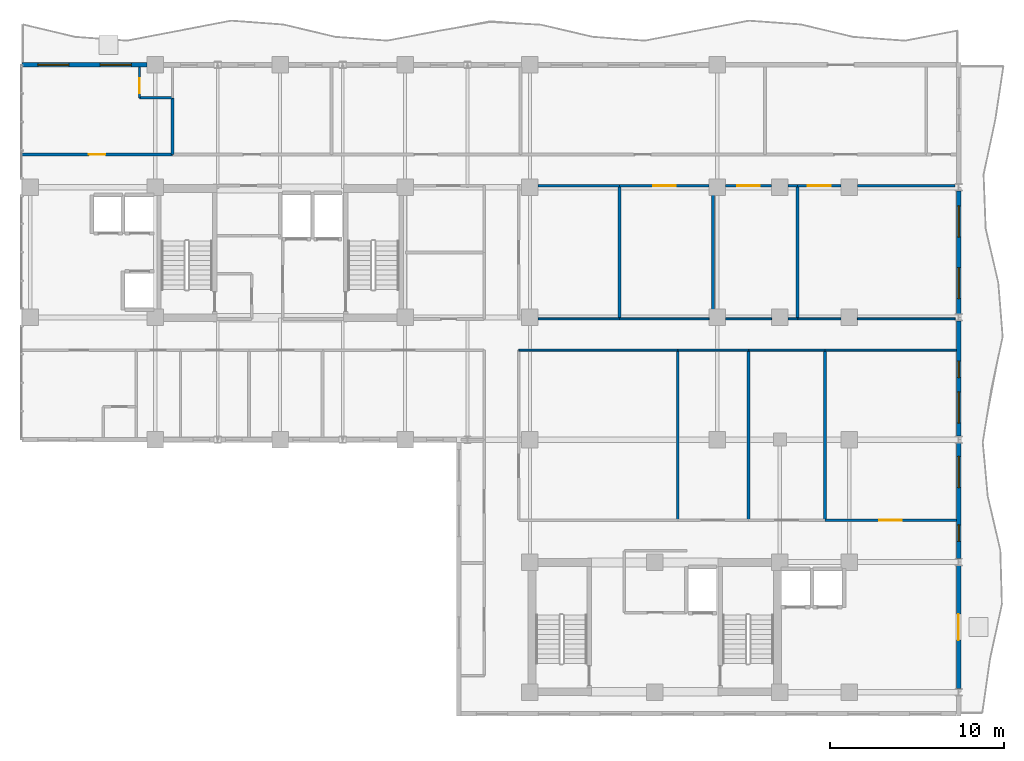
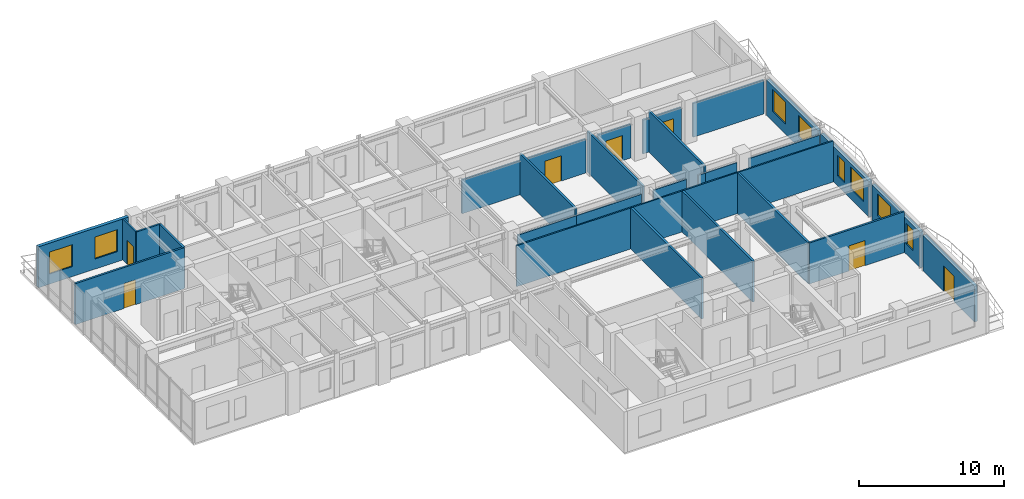
# One storey, part 15 of 20: 32 walls, 8 windows, 7 doors, 15 openings.
"""IFC4 building model written with IfcOpenShell, lengths in metres."""

from ifc_helpers import new_model, si_unit, direction, frame, frame_2d, origin, place, context, subcontext, project, spatial, rectangle, extrude, material, layer, layer_set, type_object, element, fill, save


model = new_model("IFC4")

# Units and contexts
model_context = context("Model", 3, precision=1e-05, world=origin(), true_north=direction((0.0, 1.0)))
body_context = subcontext(model_context, "Body", "Model", "MODEL_VIEW")
ifc_project = project(units=[si_unit("LENGTHUNIT", "METRE"), si_unit("AREAUNIT", "SQUARE_METRE"), si_unit("VOLUMEUNIT", "CUBIC_METRE"), si_unit("PLANEANGLEUNIT", "RADIAN"), si_unit("MASSUNIT", "GRAM", prefix="KILO")], contexts=[model_context])

# Site, building, storey
site_placement = place(None, origin())
site = spatial("IfcSite", under=ifc_project, at=site_placement, CompositionType="ELEMENT")
building_placement = place(site_placement, origin())
building = spatial("IfcBuilding", under=site, at=building_placement, Name="Kaliganga Portal Commons", CompositionType="ELEMENT")
storey_placement = place(building_placement, frame((0.0, 0.0, 201.800048828125)))
storey = spatial("IfcBuildingStorey", under=building, at=storey_placement, Name="L51", CompositionType="ELEMENT", Elevation=201.800048828125)

# Wall, opening, door
ifc_material_1 = material(Name="Insulated Aluminium-Clad Spandrel Assembly", Category="aluminium")
ifc_layer_1 = layer(ifc_material_1, 0.260009765625)
ifc_layer_set_1 = layer_set([ifc_layer_1], Name="Insulated Aluminium-Clad Spandrel Assembly")
wall_type_1 = type_object("IfcWallType", Name="WL-EXT-SPAND-260", PredefinedType="STANDARD", material=ifc_layer_set_1)
wall_1_placement = place(storey_placement, frame((60.699951171875, 14.34912109375, 0.0), z_axis=(0.0, 0.0, 1.0), x_axis=(0.0, -1.0, 0.0)))
wall_1 = element("IfcWall", 1, at=wall_1_placement, inside=storey, type_object=wall_type_1, Name="Exterior Envelope Wall L51 P1-E01-S2", PredefinedType="STANDARD", context=body_context, shape_type="SweptSolid", body=[
    extrude(rectangle(XDim=7.09814453125, YDim=0.260009765625, at=frame_2d((3.549072265625, 0.0))), origin(), (0.0, 0.0, 1.0), 3.0),
])
opening_1_placement = place(wall_1_placement, frame((2.799072265625, 0.0, 0.0)))
opening_1 = element("IfcOpeningElement", 2, at=opening_1_placement, cuts=wall_1, Name="Opening BD-01", PredefinedType="OPENING", context=body_context, shape_type="SweptSolid", body=[
    extrude(rectangle(XDim=1.5, YDim=2.14990234375, at=frame_2d((0.75, 1.074951171875))), frame((0.0, 0.14013671875, 0.0), z_axis=(0.0, -1.0, 0.0), x_axis=(1.0, 0.0, 0.0)), (0.0, 0.0, 1.0), 0.280029296875),
])
ifc_material_2 = material(Name="Anodized Aluminium and Laminated Safety Glass", Category="aluminium")
door_type_1 = type_object("IfcDoorType", Name="DR-BALC-1500", OperationType="SLIDING_TO_LEFT", PredefinedType="DOOR", material=ifc_material_2)
door_1_placement = place(opening_1_placement, origin())
door_1 = element("IfcDoor", 3, at=door_1_placement, inside=storey, type_object=door_type_1, Name="Balcony Sliding Door L51 balc_east", OperationType="SLIDING_TO_LEFT", OverallHeight=2.14990234375, OverallWidth=1.5, PredefinedType="DOOR", context=body_context, shape_type="SweptSolid", body=[
    extrude(rectangle(XDim=1.5, YDim=2.14990234375, at=frame_2d((0.75, 1.074951171875))), frame((0.0, 0.02490234375, 0.0), z_axis=(0.0, -1.0, 0.0), x_axis=(1.0, 0.0, 0.0)), (0.0, 0.0, 1.0), 0.050048828125),
])
fill(opening_1, door_1)

# Wall, openings, windows
wall_2_placement = place(storey_placement, frame((60.699951171875, 21.39892578125, 0.0), z_axis=(0.0, 0.0, 1.0), x_axis=(0.0, -1.0, 0.0)))
wall_2 = element("IfcWall", 4, at=wall_2_placement, inside=storey, type_object=wall_type_1, Name="Exterior Envelope Wall L51 P1-E01-S3", PredefinedType="STANDARD", context=body_context, shape_type="SweptSolid", body=[
    extrude(rectangle(XDim=6.64794921875, YDim=0.260009765625, at=frame_2d((3.323974609375, 0.0))), origin(), (0.0, 0.0, 1.0), 3.0),
])
opening_2_placement = place(wall_2_placement, frame((0.761962890625, 0.0, 0.85009765625)))
opening_2 = element("IfcOpeningElement", 5, at=opening_2_placement, cuts=wall_2, Name="Opening W-01", PredefinedType="OPENING", context=body_context, shape_type="SweptSolid", body=[
    extrude(rectangle(XDim=1.800048828125, YDim=1.85009765625, at=frame_2d((0.89990234375, 0.925048828125))), frame((0.0, 0.14013671875, 0.0), z_axis=(0.0, -1.0, 0.0), x_axis=(1.0, 0.0, 0.0)), (0.0, 0.0, 1.0), 0.280029296875),
])
opening_3_placement = place(wall_2_placement, frame((4.71044921875, 0.0, 0.85009765625)))
opening_3 = element("IfcOpeningElement", 6, at=opening_3_placement, cuts=wall_2, Name="Opening W-04", PredefinedType="OPENING", context=body_context, shape_type="SweptSolid", body=[
    extrude(rectangle(XDim=0.949951171875, YDim=1.75, at=frame_2d((0.47509765625, 0.875))), frame((0.0, 0.14013671875, 0.0), z_axis=(0.0, -1.0, 0.0), x_axis=(1.0, 0.0, 0.0)), (0.0, 0.0, 1.0), 0.280029296875),
])
ifc_material_3 = material(Name="Thermally Broken Aluminium and Low-E Double Glazing", Category="aluminium")
window_type_1 = type_object("IfcWindowType", Name="WIN-NARROW-950", PartitioningType="SINGLE_PANEL", PredefinedType="WINDOW", material=ifc_material_3)
window_1_placement = place(opening_3_placement, origin())
window_1 = element("IfcWindow", 7, at=window_1_placement, inside=storey, type_object=window_type_1, Name="Facade Window L51-P1E01S3-N10", OverallHeight=1.75, OverallWidth=0.949951171875, PartitioningType="SINGLE_PANEL", PredefinedType="WINDOW", context=body_context, shape_type="SweptSolid", body=[
    extrude(rectangle(XDim=0.949951171875, YDim=1.75, at=frame_2d((0.47509765625, 0.875))), frame((0.0, 0.030029296875, 0.0), z_axis=(0.0, -1.0, 0.0), x_axis=(1.0, 0.0, 0.0)), (0.0, 0.0, 1.0), 0.06005859375),
])
fill(opening_3, window_1)
window_type_2 = type_object("IfcWindowType", Name="WIN-STD-1800", PartitioningType="DOUBLE_PANEL_VERTICAL", PredefinedType="WINDOW", material=ifc_material_3)
window_2_placement = place(opening_2_placement, origin())
window_2 = element("IfcWindow", 8, at=window_2_placement, inside=storey, type_object=window_type_2, Name="Facade Window L51-P1E01S3-00", OverallHeight=1.85009765625, OverallWidth=1.800048828125, PartitioningType="SINGLE_PANEL", PredefinedType="WINDOW", context=body_context, shape_type="SweptSolid", body=[
    extrude(rectangle(XDim=1.800048828125, YDim=1.85009765625, at=frame_2d((0.89990234375, 0.925048828125))), frame((0.0, 0.030029296875, 0.0), z_axis=(0.0, -1.0, 0.0), x_axis=(1.0, 0.0, 0.0)), (0.0, 0.0, 1.0), 0.06005859375),
])
fill(opening_2, window_2)

wall_3_placement = place(storey_placement, frame((60.699951171875, 28.448974609375, 0.0), z_axis=(0.0, 0.0, 1.0), x_axis=(0.0, -1.0, 0.0)))
wall_3 = element("IfcWall", 9, at=wall_3_placement, inside=storey, type_object=wall_type_1, Name="Exterior Envelope Wall L51 P1-E01-S4", PredefinedType="STANDARD", context=body_context, shape_type="SweptSolid", body=[
    extrude(rectangle(XDim=6.64794921875, YDim=0.260009765625, at=frame_2d((3.323974609375, 0.0))), origin(), (0.0, 0.0, 1.0), 3.0),
])
opening_4_placement = place(wall_3_placement, frame((4.0859375, 0.0, 0.85009765625)))
opening_4 = element("IfcOpeningElement", 10, at=opening_4_placement, cuts=wall_3, Name="Opening W-01", PredefinedType="OPENING", context=body_context, shape_type="SweptSolid", body=[
    extrude(rectangle(XDim=1.800048828125, YDim=1.85009765625, at=frame_2d((0.89990234375, 0.925048828125))), frame((0.0, 0.14013671875, 0.0), z_axis=(0.0, -1.0, 0.0), x_axis=(1.0, 0.0, 0.0)), (0.0, 0.0, 1.0), 0.280029296875),
])
opening_5_placement = place(wall_3_placement, frame((2.317138671875, 0.0, 0.85009765625)))
opening_5 = element("IfcOpeningElement", 11, at=opening_5_placement, cuts=wall_3, Name="Opening W-04", PredefinedType="OPENING", context=body_context, shape_type="SweptSolid", body=[
    extrude(rectangle(XDim=0.949951171875, YDim=1.75, at=frame_2d((0.47509765625, 0.875))), frame((0.0, 0.14013671875, 0.0), z_axis=(0.0, -1.0, 0.0), x_axis=(1.0, 0.0, 0.0)), (0.0, 0.0, 1.0), 0.280029296875),
])
window_3_placement = place(opening_5_placement, origin())
window_3 = element("IfcWindow", 12, at=window_3_placement, inside=storey, type_object=window_type_1, Name="Facade Window L51-P1E01S4-N5", OverallHeight=1.75, OverallWidth=0.949951171875, PartitioningType="SINGLE_PANEL", PredefinedType="WINDOW", context=body_context, shape_type="SweptSolid", body=[
    extrude(rectangle(XDim=0.949951171875, YDim=1.75, at=frame_2d((0.47509765625, 0.875))), frame((0.0, 0.030029296875, 0.0), z_axis=(0.0, -1.0, 0.0), x_axis=(1.0, 0.0, 0.0)), (0.0, 0.0, 1.0), 0.06005859375),
])
fill(opening_5, window_3)
window_4_placement = place(opening_4_placement, origin())
window_4 = element("IfcWindow", 13, at=window_4_placement, inside=storey, type_object=window_type_2, Name="Facade Window L51-P1E01S4-01", OverallHeight=1.85009765625, OverallWidth=1.800048828125, PartitioningType="SINGLE_PANEL", PredefinedType="WINDOW", context=body_context, shape_type="SweptSolid", body=[
    extrude(rectangle(XDim=1.800048828125, YDim=1.85009765625, at=frame_2d((0.89990234375, 0.925048828125))), frame((0.0, 0.030029296875, 0.0), z_axis=(0.0, -1.0, 0.0), x_axis=(1.0, 0.0, 0.0)), (0.0, 0.0, 1.0), 0.06005859375),
])
fill(opening_4, window_4)

wall_4_placement = place(storey_placement, frame((60.699951171875, 35.948974609375, 0.0), z_axis=(0.0, 0.0, 1.0), x_axis=(0.0, -1.0, 0.0)))
wall_4 = element("IfcWall", 14, at=wall_4_placement, inside=storey, type_object=wall_type_1, Name="Exterior Envelope Wall L51 P1-E01-S5", PredefinedType="STANDARD", context=body_context, shape_type="SweptSolid", body=[
    extrude(rectangle(XDim=7.097900390625, YDim=0.260009765625, at=frame_2d((3.548828125, 0.0))), origin(), (0.0, 0.0, 1.0), 3.0),
])
opening_6_placement = place(wall_4_placement, frame((0.87451171875, 0.0, 0.85009765625)))
opening_6 = element("IfcOpeningElement", 15, at=opening_6_placement, cuts=wall_4, Name="Opening W-01", PredefinedType="OPENING", context=body_context, shape_type="SweptSolid", body=[
    extrude(rectangle(XDim=1.800048828125, YDim=1.85009765625, at=frame_2d((0.89990234375, 0.925048828125))), frame((0.0, 0.14013671875, 0.0), z_axis=(0.0, -1.0, 0.0), x_axis=(1.0, 0.0, 0.0)), (0.0, 0.0, 1.0), 0.280029296875),
])
opening_7_placement = place(wall_4_placement, frame((4.423583984375, 0.0, 0.85009765625)))
opening_7 = element("IfcOpeningElement", 16, at=opening_7_placement, cuts=wall_4, Name="Opening W-01", PredefinedType="OPENING", context=body_context, shape_type="SweptSolid", body=[
    extrude(rectangle(XDim=1.800048828125, YDim=1.85009765625, at=frame_2d((0.89990234375, 0.925048828125))), frame((0.0, 0.14013671875, 0.0), z_axis=(0.0, -1.0, 0.0), x_axis=(1.0, 0.0, 0.0)), (0.0, 0.0, 1.0), 0.280029296875),
])
window_5_placement = place(opening_6_placement, origin())
window_5 = element("IfcWindow", 17, at=window_5_placement, inside=storey, type_object=window_type_2, Name="Facade Window L51-P1E01S5-00", OverallHeight=1.85009765625, OverallWidth=1.800048828125, PartitioningType="SINGLE_PANEL", PredefinedType="WINDOW", context=body_context, shape_type="SweptSolid", body=[
    extrude(rectangle(XDim=1.800048828125, YDim=1.85009765625, at=frame_2d((0.89990234375, 0.925048828125))), frame((0.0, 0.030029296875, 0.0), z_axis=(0.0, -1.0, 0.0), x_axis=(1.0, 0.0, 0.0)), (0.0, 0.0, 1.0), 0.06005859375),
])
fill(opening_6, window_5)
window_6_placement = place(opening_7_placement, origin())
window_6 = element("IfcWindow", 18, at=window_6_placement, inside=storey, type_object=window_type_2, Name="Facade Window L51-P1E01S5-01", OverallHeight=1.85009765625, OverallWidth=1.800048828125, PartitioningType="SINGLE_PANEL", PredefinedType="WINDOW", context=body_context, shape_type="SweptSolid", body=[
    extrude(rectangle(XDim=1.800048828125, YDim=1.85009765625, at=frame_2d((0.89990234375, 0.925048828125))), frame((0.0, 0.030029296875, 0.0), z_axis=(0.0, -1.0, 0.0), x_axis=(1.0, 0.0, 0.0)), (0.0, 0.0, 1.0), 0.06005859375),
])
fill(opening_7, window_6)

wall_5_placement = place(storey_placement, frame((6.737060546875, 43.199951171875, 0.0), z_axis=(0.0, 0.0, 1.0), x_axis=(1.0, 0.0, 0.0)))
wall_5 = element("IfcWall", 19, at=wall_5_placement, inside=storey, type_object=wall_type_1, Name="Exterior Envelope Wall L51 P1-E02-S9", PredefinedType="STANDARD", context=body_context, shape_type="SweptSolid", body=[
    extrude(rectangle(XDim=7.18701171875, YDim=0.260009765625, at=frame_2d((3.593505859375, 0.0))), origin(), (0.0, 0.0, 1.0), 3.449951171875),
])
opening_8_placement = place(wall_5_placement, frame((0.896728515625, 0.0, 0.85009765625)))
opening_8 = element("IfcOpeningElement", 20, at=opening_8_placement, cuts=wall_5, Name="Opening W-01", PredefinedType="OPENING", context=body_context, shape_type="SweptSolid", body=[
    extrude(rectangle(XDim=1.800048828125, YDim=1.85009765625, at=frame_2d((0.89990234375, 0.925048828125))), frame((0.0, 0.14013671875, 0.0), z_axis=(0.0, -1.0, 0.0), x_axis=(1.0, 0.0, 0.0)), (0.0, 0.0, 1.0), 0.280029296875),
])
opening_9_placement = place(wall_5_placement, frame((4.490234375, 0.0, 0.85009765625)))
opening_9 = element("IfcOpeningElement", 21, at=opening_9_placement, cuts=wall_5, Name="Opening W-01", PredefinedType="OPENING", context=body_context, shape_type="SweptSolid", body=[
    extrude(rectangle(XDim=1.800048828125, YDim=1.85009765625, at=frame_2d((0.89990234375, 0.925048828125))), frame((0.0, 0.14013671875, 0.0), z_axis=(0.0, -1.0, 0.0), x_axis=(1.0, 0.0, 0.0)), (0.0, 0.0, 1.0), 0.280029296875),
])
window_7_placement = place(opening_8_placement, origin())
window_7 = element("IfcWindow", 22, at=window_7_placement, inside=storey, type_object=window_type_2, Name="Facade Window L51-P1E02S9-00", OverallHeight=1.85009765625, OverallWidth=1.800048828125, PartitioningType="SINGLE_PANEL", PredefinedType="WINDOW", context=body_context, shape_type="SweptSolid", body=[
    extrude(rectangle(XDim=1.800048828125, YDim=1.85009765625, at=frame_2d((0.89990234375, 0.925048828125))), frame((0.0, 0.030029296875, 0.0), z_axis=(0.0, -1.0, 0.0), x_axis=(1.0, 0.0, 0.0)), (0.0, 0.0, 1.0), 0.06005859375),
])
fill(opening_8, window_7)
window_8_placement = place(opening_9_placement, origin())
window_8 = element("IfcWindow", 23, at=window_8_placement, inside=storey, type_object=window_type_2, Name="Facade Window L51-P1E02S9-01", OverallHeight=1.85009765625, OverallWidth=1.800048828125, PartitioningType="SINGLE_PANEL", PredefinedType="WINDOW", context=body_context, shape_type="SweptSolid", body=[
    extrude(rectangle(XDim=1.800048828125, YDim=1.85009765625, at=frame_2d((0.89990234375, 0.925048828125))), frame((0.0, 0.030029296875, 0.0), z_axis=(0.0, -1.0, 0.0), x_axis=(1.0, 0.0, 0.0)), (0.0, 0.0, 1.0), 0.06005859375),
])
fill(opening_9, window_8)

# Wall, opening, door
ifc_material_4 = material(Name="Fire-Rated Gypsum Board on Steel Stud", Category="steel")
ifc_layer_2 = layer(ifc_material_4, 0.14990234375)
ifc_layer_set_2 = layer_set([ifc_layer_2], Name="Fire-Rated Gypsum Board on Steel Stud")
wall_type_2 = type_object("IfcWallType", Name="WL-PART-CORR-150", PredefinedType="PARTITIONING", material=ifc_layer_set_2)
wall_6_placement = place(storey_placement, frame((51.419921875, 36.239990234375, 0.0), z_axis=(0.0, 0.0, 1.0), x_axis=(1.0, 0.0, 0.0)))
wall_6 = element("IfcWall", 24, at=wall_6_placement, inside=storey, type_object=wall_type_2, Name="Interior Partition L51-012", PredefinedType="PARTITIONING", context=body_context, shape_type="SweptSolid", body=[
    extrude(rectangle(XDim=2.505126953125, YDim=0.14990234375, at=frame_2d((1.25244140625, 0.0))), origin(), (0.0, 0.0, 1.0), 2.849853515625),
])
opening_10_placement = place(wall_6_placement, frame((0.6025390625, 0.0, 0.0)))
opening_10 = element("IfcOpeningElement", 25, at=opening_10_placement, cuts=wall_6, Name="Opening RD-03", PredefinedType="OPENING", context=body_context, shape_type="SweptSolid", body=[
    extrude(rectangle(XDim=1.300048828125, YDim=2.1201171875, at=frame_2d((0.64990234375, 1.06005859375))), frame((0.0, 0.0849609375, 0.0), z_axis=(0.0, -1.0, 0.0), x_axis=(1.0, 0.0, 0.0)), (0.0, 0.0, 1.0), 0.169921875),
])
ifc_material_5 = material(Name="Glazed Timber Seminar Vision Door", Category="wood")
door_type_2 = type_object("IfcDoorType", Name="DR-STUDY-1300", OperationType="DOUBLE_DOOR_SINGLE_SWING", PredefinedType="DOOR", material=ifc_material_5)
door_2_placement = place(opening_10_placement, origin())
door_2 = element("IfcDoor", 26, at=door_2_placement, inside=storey, type_object=door_type_2, Name="Interior Door L51-BK04", OperationType="DOUBLE_DOOR_SINGLE_SWING", OverallHeight=2.1201171875, OverallWidth=1.300048828125, PredefinedType="DOOR", context=body_context, shape_type="SweptSolid", body=[
    extrude(rectangle(XDim=1.300048828125, YDim=2.1201171875, at=frame_2d((0.64990234375, 1.06005859375))), frame((0.0, 0.02490234375, 0.0), z_axis=(0.0, -1.0, 0.0), x_axis=(1.0, 0.0, 0.0)), (0.0, 0.0, 1.0), 0.050048828125),
])
fill(opening_10, door_2)

# Wall
wall_7_placement = place(storey_placement, frame((54.875, 36.239990234375, 0.0), z_axis=(0.0, 0.0, 1.0), x_axis=(1.0, 0.0, 0.0)))
element("IfcWall", 27, at=wall_7_placement, inside=storey, type_object=wall_type_2, Name="Interior Partition L51-013", PredefinedType="PARTITIONING", context=body_context, shape_type="SweptSolid", body=[
    extrude(rectangle(XDim=5.62548828125, YDim=0.14990234375, at=frame_2d((2.812744140625, 0.0))), origin(), (0.0, 0.0, 1.0), 2.849853515625),
])

# Wall, opening, door
wall_8_placement = place(storey_placement, frame((6.719970703125, 38.0400390625, 0.0), z_axis=(0.0, 0.0, 1.0), x_axis=(1.0, 0.0, 0.0)))
wall_8 = element("IfcWall", 28, at=wall_8_placement, inside=storey, type_object=wall_type_2, Name="Interior Partition L51-016", PredefinedType="PARTITIONING", context=body_context, shape_type="SweptSolid", body=[
    extrude(rectangle(XDim=8.679931640625, YDim=0.14990234375, at=frame_2d((4.33984375, 0.0))), origin(), (0.0, 0.0, 1.0), 3.449951171875),
])
opening_11_placement = place(wall_8_placement, frame((3.864990234375, 0.0, 0.0)))
opening_11 = element("IfcOpeningElement", 29, at=opening_11_placement, cuts=wall_8, Name="Opening UD-01", PredefinedType="OPENING", context=body_context, shape_type="SweptSolid", body=[
    extrude(rectangle(XDim=0.949951171875, YDim=2.10009765625, at=frame_2d((0.47509765625, 1.050048828125))), frame((0.0, 0.0849609375, 0.0), z_axis=(0.0, -1.0, 0.0), x_axis=(1.0, 0.0, 0.0)), (0.0, 0.0, 1.0), 0.169921875),
])
ifc_material_6 = material(Name="Solid-Core Timber Acoustic Fire Door", Category="wood")
door_type_3 = type_object("IfcDoorType", Name="DR-UNIT-950", OperationType="NOTDEFINED", PredefinedType="DOOR", material=ifc_material_6)
door_3_placement = place(opening_11_placement, origin())
door_3 = element("IfcDoor", 30, at=door_3_placement, inside=storey, type_object=door_type_3, Name="Interior Door L51-AN01", OperationType="SINGLE_SWING_LEFT", OverallHeight=2.10009765625, OverallWidth=0.949951171875, PredefinedType="DOOR", context=body_context, shape_type="SweptSolid", body=[
    extrude(rectangle(XDim=0.949951171875, YDim=2.10009765625, at=frame_2d((0.47509765625, 1.050048828125))), frame((0.0, 0.02490234375, 0.0), z_axis=(0.0, -1.0, 0.0), x_axis=(1.0, 0.0, 0.0)), (0.0, 0.0, 1.0), 0.050048828125),
])
fill(opening_11, door_3)

wall_9_placement = place(storey_placement, frame((53.0, 16.9599609375, 0.0), z_axis=(0.0, 0.0, 1.0), x_axis=(1.0, 0.0, 0.0)))
wall_9 = element("IfcWall", 31, at=wall_9_placement, inside=storey, type_object=wall_type_2, Name="Interior Partition L51-017", PredefinedType="PARTITIONING", context=body_context, shape_type="SweptSolid", body=[
    extrude(rectangle(XDim=7.568115234375, YDim=0.14990234375, at=frame_2d((3.7841796875, 0.0))), origin(), (0.0, 0.0, 1.0), 3.449951171875),
])
opening_12_placement = place(wall_9_placement, frame((3.134033203125, 0.0, 0.0)))
opening_12 = element("IfcOpeningElement", 32, at=opening_12_placement, cuts=wall_9, Name="Opening RD-03", PredefinedType="OPENING", context=body_context, shape_type="SweptSolid", body=[
    extrude(rectangle(XDim=1.300048828125, YDim=2.1201171875, at=frame_2d((0.64990234375, 1.06005859375))), frame((0.0, 0.0849609375, 0.0), z_axis=(0.0, -1.0, 0.0), x_axis=(1.0, 0.0, 0.0)), (0.0, 0.0, 1.0), 0.169921875),
])
door_4_placement = place(opening_12_placement, origin())
door_4 = element("IfcDoor", 33, at=door_4_placement, inside=storey, type_object=door_type_2, Name="Interior Door L51-BM03", OperationType="DOUBLE_DOOR_SINGLE_SWING", OverallHeight=2.1201171875, OverallWidth=1.300048828125, PredefinedType="DOOR", context=body_context, shape_type="SweptSolid", body=[
    extrude(rectangle(XDim=1.300048828125, YDim=2.1201171875, at=frame_2d((0.64990234375, 1.06005859375))), frame((0.0, 0.02490234375, 0.0), z_axis=(0.0, -1.0, 0.0), x_axis=(1.0, 0.0, 0.0)), (0.0, 0.0, 1.0), 0.050048828125),
])
fill(opening_12, door_4)

# Wall
wall_10_placement = place(storey_placement, frame((36.47509765625, 36.239990234375, 0.0), z_axis=(0.0, 0.0, 1.0), x_axis=(1.0, 0.0, 0.0)))
element("IfcWall", 34, at=wall_10_placement, inside=storey, type_object=wall_type_2, Name="Interior Partition L51-022", PredefinedType="PARTITIONING", context=body_context, shape_type="SweptSolid", body=[
    extrude(rectangle(XDim=4.684814453125, YDim=0.14990234375, at=frame_2d((2.34228515625, 0.0))), origin(), (0.0, 0.0, 1.0), 2.849853515625),
])

# Wall, opening, door
wall_11_placement = place(storey_placement, frame((41.159912109375, 36.239990234375, 0.0), z_axis=(0.0, 0.0, 1.0), x_axis=(1.0, 0.0, 0.0)))
wall_11 = element("IfcWall", 35, at=wall_11_placement, inside=storey, type_object=wall_type_2, Name="Interior Partition L51-023", PredefinedType="PARTITIONING", context=body_context, shape_type="SweptSolid", body=[
    extrude(rectangle(XDim=5.1650390625, YDim=0.14990234375, at=frame_2d((2.58251953125, 0.0))), origin(), (0.0, 0.0, 1.0), 2.849853515625),
])
opening_13_placement = place(wall_11_placement, frame((1.9326171875, 0.0, 0.0)))
opening_13 = element("IfcOpeningElement", 36, at=opening_13_placement, cuts=wall_11, Name="Opening RD-03", PredefinedType="OPENING", context=body_context, shape_type="SweptSolid", body=[
    extrude(rectangle(XDim=1.300048828125, YDim=2.1201171875, at=frame_2d((0.64990234375, 1.06005859375))), frame((0.0, 0.0849609375, 0.0), z_axis=(0.0, -1.0, 0.0), x_axis=(1.0, 0.0, 0.0)), (0.0, 0.0, 1.0), 0.169921875),
])
door_5_placement = place(opening_13_placement, origin())
door_5 = element("IfcDoor", 37, at=door_5_placement, inside=storey, type_object=door_type_2, Name="Interior Door L51-BK02", OperationType="DOUBLE_DOOR_SINGLE_SWING", OverallHeight=2.1201171875, OverallWidth=1.300048828125, PredefinedType="DOOR", context=body_context, shape_type="SweptSolid", body=[
    extrude(rectangle(XDim=1.300048828125, YDim=2.1201171875, at=frame_2d((0.64990234375, 1.06005859375))), frame((0.0, 0.02490234375, 0.0), z_axis=(0.0, -1.0, 0.0), x_axis=(1.0, 0.0, 0.0)), (0.0, 0.0, 1.0), 0.050048828125),
])
fill(opening_13, door_5)

wall_12_placement = place(storey_placement, frame((47.27490234375, 36.239990234375, 0.0), z_axis=(0.0, 0.0, 1.0), x_axis=(1.0, 0.0, 0.0)))
wall_12 = element("IfcWall", 38, at=wall_12_placement, inside=storey, type_object=wall_type_2, Name="Interior Partition L51-025", PredefinedType="PARTITIONING", context=body_context, shape_type="SweptSolid", body=[
    extrude(rectangle(XDim=2.650146484375, YDim=0.14990234375, at=frame_2d((1.3251953125, 0.0))), origin(), (0.0, 0.0, 1.0), 2.849853515625),
])
opening_14_placement = place(wall_12_placement, frame((0.675048828125, 0.0, 0.0)))
opening_14 = element("IfcOpeningElement", 39, at=opening_14_placement, cuts=wall_12, Name="Opening RD-03", PredefinedType="OPENING", context=body_context, shape_type="SweptSolid", body=[
    extrude(rectangle(XDim=1.300048828125, YDim=2.1201171875, at=frame_2d((0.64990234375, 1.06005859375))), frame((0.0, 0.0849609375, 0.0), z_axis=(0.0, -1.0, 0.0), x_axis=(1.0, 0.0, 0.0)), (0.0, 0.0, 1.0), 0.169921875),
])
door_6_placement = place(opening_14_placement, origin())
door_6 = element("IfcDoor", 40, at=door_6_placement, inside=storey, type_object=door_type_2, Name="Interior Door L51-BK03", OperationType="DOUBLE_DOOR_SINGLE_SWING", OverallHeight=2.1201171875, OverallWidth=1.300048828125, PredefinedType="DOOR", context=body_context, shape_type="SweptSolid", body=[
    extrude(rectangle(XDim=1.300048828125, YDim=2.1201171875, at=frame_2d((0.64990234375, 1.06005859375))), frame((0.0, 0.02490234375, 0.0), z_axis=(0.0, -1.0, 0.0), x_axis=(1.0, 0.0, 0.0)), (0.0, 0.0, 1.0), 0.050048828125),
])
fill(opening_14, door_6)

# Walls
wall_13_placement = place(storey_placement, frame((50.875, 36.239990234375, 0.0), z_axis=(0.0, 0.0, 1.0), x_axis=(1.0, 0.0, 0.0)))
element("IfcWall", 41, at=wall_13_placement, inside=storey, type_object=wall_type_2, Name="Interior Partition L51-026", PredefinedType="PARTITIONING", context=body_context, shape_type="SweptSolid", body=[
    extrude(rectangle(XDim=0.544921875, YDim=0.14990234375, at=frame_2d((0.2724609375, 0.0))), origin(), (0.0, 0.0, 1.0), 2.849853515625),
])
ifc_material_7 = material(Name="Moisture-Resistant Gypsum Partition", Category="gypsum")
ifc_layer_3 = layer(ifc_material_7, 0.114990234375)
ifc_layer_set_3 = layer_set([ifc_layer_3], Name="Moisture-Resistant Gypsum Partition")
wall_type_3 = type_object("IfcWallType", Name="WL-PART-ROOM-115", PredefinedType="PARTITIONING", material=ifc_layer_set_3)
wall_14_placement = place(storey_placement, frame((51.419921875, 28.56005859375, 0.0), z_axis=(0.0, 0.0, 1.0), x_axis=(1.0, 0.0, 0.0)))
element("IfcWall", 42, at=wall_14_placement, inside=storey, type_object=wall_type_3, Name="Interior Partition L51-049", PredefinedType="PARTITIONING", context=body_context, shape_type="SweptSolid", body=[
    extrude(rectangle(XDim=2.505126953125, YDim=0.114990234375, at=frame_2d((1.25244140625, 0.0))), origin(), (0.0, 0.0, 1.0), 2.849853515625),
])
wall_15_placement = place(storey_placement, frame((54.875, 28.56005859375, 0.0), z_axis=(0.0, 0.0, 1.0), x_axis=(1.0, 0.0, 0.0)))
element("IfcWall", 43, at=wall_15_placement, inside=storey, type_object=wall_type_3, Name="Interior Partition L51-050", PredefinedType="PARTITIONING", context=body_context, shape_type="SweptSolid", body=[
    extrude(rectangle(XDim=5.62548828125, YDim=0.114990234375, at=frame_2d((2.812744140625, 0.0))), origin(), (0.0, 0.0, 1.0), 2.849853515625),
])
wall_16_placement = place(storey_placement, frame((35.360107421875, 26.760009765625, 0.0), z_axis=(0.0, 0.0, 1.0), x_axis=(1.0, 0.0, 0.0)))
element("IfcWall", 44, at=wall_16_placement, inside=storey, type_object=wall_type_3, Name="Interior Partition L51-051", PredefinedType="PARTITIONING", context=body_context, shape_type="SweptSolid", body=[
    extrude(rectangle(XDim=9.159912109375, YDim=0.114990234375, at=frame_2d((4.580078125, 0.0))), origin(), (0.0, 0.0, 1.0), 3.449951171875),
])
wall_17_placement = place(storey_placement, frame((53.0, 26.760009765625, 0.0), z_axis=(0.0, 0.0, 1.0), x_axis=(1.0, 0.0, 0.0)))
element("IfcWall", 45, at=wall_17_placement, inside=storey, type_object=wall_type_3, Name="Interior Partition L51-052", PredefinedType="PARTITIONING", context=body_context, shape_type="SweptSolid", body=[
    extrude(rectangle(XDim=7.568115234375, YDim=0.114990234375, at=frame_2d((3.7841796875, 0.0))), origin(), (0.0, 0.0, 1.0), 3.449951171875),
])
wall_18_placement = place(storey_placement, frame((36.47509765625, 28.56005859375, 0.0), z_axis=(0.0, 0.0, 1.0), x_axis=(1.0, 0.0, 0.0)))
element("IfcWall", 46, at=wall_18_placement, inside=storey, type_object=wall_type_3, Name="Interior Partition L51-056", PredefinedType="PARTITIONING", context=body_context, shape_type="SweptSolid", body=[
    extrude(rectangle(XDim=4.684814453125, YDim=0.114990234375, at=frame_2d((2.34228515625, 0.0))), origin(), (0.0, 0.0, 1.0), 2.849853515625),
])
wall_19_placement = place(storey_placement, frame((41.159912109375, 28.56005859375, 0.0), z_axis=(0.0, 0.0, 1.0), x_axis=(1.0, 0.0, 0.0)))
element("IfcWall", 47, at=wall_19_placement, inside=storey, type_object=wall_type_3, Name="Interior Partition L51-057", PredefinedType="PARTITIONING", context=body_context, shape_type="SweptSolid", body=[
    extrude(rectangle(XDim=5.1650390625, YDim=0.114990234375, at=frame_2d((2.58251953125, 0.0))), origin(), (0.0, 0.0, 1.0), 2.849853515625),
])
wall_20_placement = place(storey_placement, frame((47.27490234375, 28.56005859375, 0.0), z_axis=(0.0, 0.0, 1.0), x_axis=(1.0, 0.0, 0.0)))
element("IfcWall", 48, at=wall_20_placement, inside=storey, type_object=wall_type_3, Name="Interior Partition L51-065", PredefinedType="PARTITIONING", context=body_context, shape_type="SweptSolid", body=[
    extrude(rectangle(XDim=2.650146484375, YDim=0.114990234375, at=frame_2d((1.3251953125, 0.0))), origin(), (0.0, 0.0, 1.0), 2.849853515625),
])
wall_21_placement = place(storey_placement, frame((50.875, 28.56005859375, 0.0), z_axis=(0.0, 0.0, 1.0), x_axis=(1.0, 0.0, 0.0)))
element("IfcWall", 49, at=wall_21_placement, inside=storey, type_object=wall_type_3, Name="Interior Partition L51-066", PredefinedType="PARTITIONING", context=body_context, shape_type="SweptSolid", body=[
    extrude(rectangle(XDim=0.544921875, YDim=0.114990234375, at=frame_2d((0.2724609375, 0.0))), origin(), (0.0, 0.0, 1.0), 2.849853515625),
])
wall_22_placement = place(storey_placement, frame((48.60009765625, 26.760009765625, 0.0), z_axis=(0.0, 0.0, 1.0), x_axis=(1.0, 0.0, 0.0)))
element("IfcWall", 50, at=wall_22_placement, inside=storey, type_object=wall_type_3, Name="Interior Partition L51-069", PredefinedType="PARTITIONING", context=body_context, shape_type="SweptSolid", body=[
    extrude(rectangle(XDim=4.39990234375, YDim=0.114990234375, at=frame_2d((2.199951171875, 0.0))), origin(), (0.0, 0.0, 1.0), 3.449951171875),
])
wall_23_placement = place(storey_placement, frame((44.52001953125, 26.760009765625, 0.0), z_axis=(0.0, 0.0, 1.0), x_axis=(1.0, 0.0, 0.0)))
element("IfcWall", 51, at=wall_23_placement, inside=storey, type_object=wall_type_3, Name="Interior Partition L51-070", PredefinedType="PARTITIONING", context=body_context, shape_type="SweptSolid", body=[
    extrude(rectangle(XDim=4.080078125, YDim=0.114990234375, at=frame_2d((2.0400390625, 0.0))), origin(), (0.0, 0.0, 1.0), 3.449951171875),
])
ifc_material_8 = material(Name="Twin-Stud Acoustic Gypsum Partition", Category="gypsum")
ifc_layer_4 = layer(ifc_material_8, 0.1650390625)
ifc_layer_set_4 = layer_set([ifc_layer_4], Name="Twin-Stud Acoustic Gypsum Partition")
wall_type_4 = type_object("IfcWallType", Name="WL-PART-UNIT-165", PredefinedType="PARTITIONING", material=ifc_layer_set_4)
for number, where, z_axis, x_axis, name in (
    (52, (44.52001953125, 16.9599609375, 0.0), (0.0, 0.0, 1.0), (0.0, 1.0, 0.0), "Interior Partition L51-046"),
    (53, (48.60009765625, 16.9599609375, 0.0), (0.0, 0.0, 1.0), (0.0, 1.0, 0.0), "Interior Partition L51-047"),
    (54, (53.0, 16.9599609375, 0.0), (0.0, 0.0, 1.0), (0.0, 1.0, 0.0), "Interior Partition L51-048"),
):
    element("IfcWall", number, at=place(storey_placement, frame(where, z_axis=z_axis, x_axis=x_axis)), inside=storey, type_object=wall_type_4, Name=name, PredefinedType="PARTITIONING", context=body_context, shape_type="SweptSolid", body=[
        extrude(rectangle(XDim=9.800048828125, YDim=0.1650390625, at=frame_2d((4.89990234375, 0.0))), origin(), (0.0, 0.0, 1.0), 3.449951171875),
    ])
for number, where, z_axis, x_axis, name in (
    (55, (41.159912109375, 28.56005859375, 0.0), (0.0, 0.0, 1.0), (0.0, 1.0, 0.0), "Interior Partition L51-053"),
    (56, (46.5400390625, 28.56005859375, 0.0), (0.0, 0.0, 1.0), (0.0, 1.0, 0.0), "Interior Partition L51-054"),
    (57, (51.419921875, 28.56005859375, 0.0), (0.0, 0.0, 1.0), (0.0, 1.0, 0.0), "Interior Partition L51-055"),
):
    element("IfcWall", number, at=place(storey_placement, frame(where, z_axis=z_axis, x_axis=x_axis)), inside=storey, type_object=wall_type_4, Name=name, PredefinedType="PARTITIONING", context=body_context, shape_type="SweptSolid", body=[
        extrude(rectangle(XDim=7.679931640625, YDim=0.1650390625, at=frame_2d((3.83984375, 0.0))), origin(), (0.0, 0.0, 1.0), 3.449951171875),
    ])
wall_24_placement = place(storey_placement, frame((15.39990234375, 38.0400390625, 0.0), z_axis=(0.0, 0.0, 1.0), x_axis=(0.0, 1.0, 0.0)))
element("IfcWall", 58, at=wall_24_placement, inside=storey, type_object=wall_type_4, Name="Interior Partition L51-073", PredefinedType="PARTITIONING", context=body_context, shape_type="SweptSolid", body=[
    extrude(rectangle(XDim=3.260009765625, YDim=0.1650390625, at=frame_2d((1.6298828125, 0.0))), origin(), (0.0, 0.0, 1.0), 3.449951171875),
])

# Wall, opening, door
ifc_material_9 = material(Name="Cement-Board Wet-Room Partition", Category="gypsum")
ifc_layer_5 = layer(ifc_material_9, 0.135009765625)
ifc_layer_set_5 = layer_set([ifc_layer_5], Name="Cement-Board Wet-Room Partition")
wall_type_5 = type_object("IfcWallType", Name="WL-PART-WET-135", PredefinedType="PARTITIONING", material=ifc_layer_set_5)
wall_25_placement = place(storey_placement, frame((13.5, 41.300048828125, 0.0), z_axis=(0.0, 0.0, 1.0), x_axis=(0.0, 1.0, 0.0)))
wall_25 = element("IfcWall", 59, at=wall_25_placement, inside=storey, type_object=wall_type_5, Name="Interior Partition L51-001", PredefinedType="PARTITIONING", context=body_context, shape_type="SweptSolid", body=[
    extrude(rectangle(XDim=1.76806640625, YDim=0.135009765625, at=frame_2d((0.884033203125, 0.0))), origin(), (0.0, 0.0, 1.0), 3.449951171875),
])
opening_15_placement = place(wall_25_placement, frame((0.2822265625, 0.0, 0.0)))
opening_15 = element("IfcOpeningElement", 60, at=opening_15_placement, cuts=wall_25, Name="Opening WD-01", PredefinedType="OPENING", context=body_context, shape_type="SweptSolid", body=[
    extrude(rectangle(XDim=0.85009765625, YDim=2.0400390625, at=frame_2d((0.425048828125, 1.02001953125))), frame((0.0, 0.07763671875, 0.0), z_axis=(0.0, -1.0, 0.0), x_axis=(1.0, 0.0, 0.0)), (0.0, 0.0, 1.0), 0.155029296875),
])
ifc_material_10 = material(Name="Moisture-Resistant Laminate Timber Door", Category="wood")
door_type_4 = type_object("IfcDoorType", Name="DR-WET-850", OperationType="NOTDEFINED", PredefinedType="DOOR", material=ifc_material_10)
door_7_placement = place(opening_15_placement, origin())
door_7 = element("IfcDoor", 61, at=door_7_placement, inside=storey, type_object=door_type_4, Name="Interior Door L51-AN01E", OperationType="SINGLE_SWING_RIGHT", OverallHeight=2.0400390625, OverallWidth=0.85009765625, PredefinedType="DOOR", context=body_context, shape_type="SweptSolid", body=[
    extrude(rectangle(XDim=0.85009765625, YDim=2.0400390625, at=frame_2d((0.425048828125, 1.02001953125))), frame((0.0, 0.02490234375, 0.0), z_axis=(0.0, -1.0, 0.0), x_axis=(1.0, 0.0, 0.0)), (0.0, 0.0, 1.0), 0.050048828125),
])
fill(opening_15, door_7)

# Wall
wall_26_placement = place(storey_placement, frame((13.5, 41.300048828125, 0.0), z_axis=(0.0, 0.0, 1.0), x_axis=(1.0, 0.0, 0.0)))
element("IfcWall", 62, at=wall_26_placement, inside=storey, type_object=wall_type_5, Name="Interior Partition L51-004", PredefinedType="PARTITIONING", context=body_context, shape_type="SweptSolid", body=[
    extrude(rectangle(XDim=1.89990234375, YDim=0.135009765625, at=frame_2d((0.949951171875, 0.0))), origin(), (0.0, 0.0, 1.0), 3.449951171875),
])

save(model, "model.ifc")
